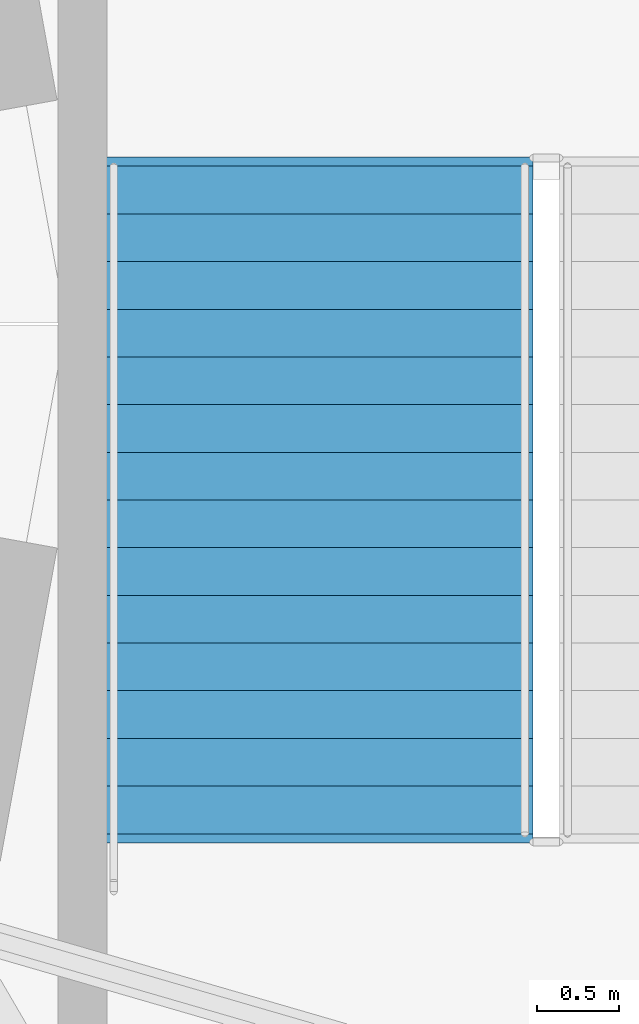
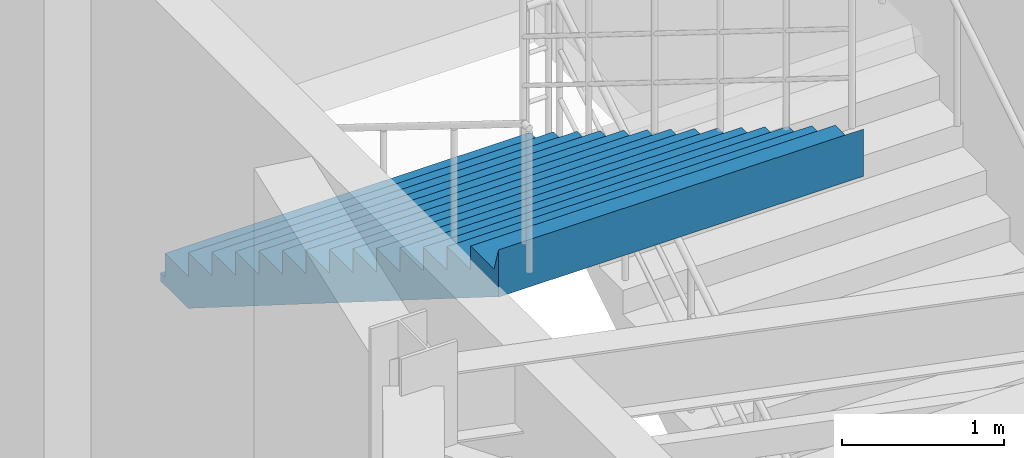
# One storey, part 74 of 93: 1 stair flight, 1 element without a shape of its own.
"""IFC4 building model written with IfcOpenShell, lengths in metres."""

from ifc_helpers import new_model, si_unit, direction, frame, origin, place, context, subcontext, project, spatial, polyline, outline, extrude, material, type_object, element, aggregate, save


model = new_model("IFC4")

# Units and contexts
model_context = context("Model", 3, precision=1e-05, world=origin(), true_north=direction((0.0, 1.0)))
body_context = subcontext(model_context, "Body", "Model", "MODEL_VIEW")
ifc_project = project(units=[si_unit("LENGTHUNIT", "METRE"), si_unit("AREAUNIT", "SQUARE_METRE"), si_unit("VOLUMEUNIT", "CUBIC_METRE"), si_unit("PLANEANGLEUNIT", "RADIAN"), si_unit("MASSUNIT", "GRAM", prefix="KILO")], contexts=[model_context])

# Site, building, storey
site_placement = place(None, origin())
site = spatial("IfcSite", under=ifc_project, at=site_placement, CompositionType="ELEMENT")
building_placement = place(site_placement, origin())
building = spatial("IfcBuilding", under=site, at=building_placement, Name="Cinderbank Siding Concert Hall", CompositionType="ELEMENT")
storey_placement = place(building_placement, origin())
storey = spatial("IfcBuildingStorey", under=building, at=storey_placement, Name="L01", CompositionType="ELEMENT", Elevation=0.0)

# Stair, stair flight
ifc_material = material(Name="Reinforced concrete AS 3600 N50 (50 MPa)", Category="concrete")
stair_type = type_object("IfcStairType", Name="STR-B Dogleg Exit Stair 2600mm", PredefinedType="HALF_TURN_STAIR", material=ifc_material)
stair_placement = place(storey_placement, origin())
stair = element("IfcStair", 1, at=stair_placement, inside=storey, type_object=stair_type, Name="L01 Fire-isolated Exit Stair ST-03", PredefinedType="HALF_TURN_STAIR")
stair_flight_type = type_object("IfcStairFlightType", Name="SFL-B Concrete Stair Flight 2600mm", PredefinedType="STRAIGHT", material=ifc_material)
stair_flight_placement = place(storey_placement, frame((143.139892578125, 44.9599609375, 2.699951171875), z_axis=(0.0, 0.0, 1.0), x_axis=(0.0, -1.0, 0.0)))
stair_flight = element("IfcStairFlight", 2, at=stair_flight_placement, type_object=stair_flight_type, Name="ST-03 flight 2", NumberOfRisers=15, NumberOfTreads=14, PredefinedType="STRAIGHT", RiserHeight=0.18, TreadLength=0.29, context=body_context, shape_type="SweptSolid", body=[
    extrude(outline(polyline([(0.0, 0.0), (0.0, 0.179931640625), (0.2900390625, 0.179931640625), (0.2900390625, 0.360107421875), (0.580078125, 0.360107421875), (0.580078125, 0.5400390625), (0.8701171875, 0.5400390625), (0.8701171875, 0.719970703125), (1.159912109375, 0.719970703125), (1.159912109375, 0.89990234375), (1.449951171875, 0.89990234375), (1.449951171875, 1.080078125), (1.739990234375, 1.080078125), (1.739990234375, 1.260009765625), (2.030029296875, 1.260009765625), (2.030029296875, 1.43994140625), (2.320068359375, 1.43994140625), (2.320068359375, 1.6201171875), (2.610107421875, 1.6201171875), (2.610107421875, 1.800048828125), (2.89990234375, 1.800048828125), (2.89990234375, 1.97998046875), (3.18994140625, 1.97998046875), (3.18994140625, 2.159912109375), (3.47998046875, 2.159912109375), (3.47998046875, 2.340087890625), (3.77001953125, 2.340087890625), (3.77001953125, 2.52001953125), (4.06005859375, 2.52001953125), (4.114990234375, 2.699951171875), (4.114990234375, 2.343505859375), (4.11474609375, 2.34375), (4.11474609375, 2.343994140625), (4.11474609375, 2.34423828125), (4.11474609375, 2.344482421875), (4.11474609375, 2.3447265625), (4.11474609375, 2.344970703125), (4.11474609375, 2.34521484375), (4.11474609375, 2.345458984375), (4.11474609375, 2.345703125), (4.11474609375, 2.345947265625), (4.11474609375, 2.34619140625), (4.11474609375, 2.346435546875), (4.114501953125, 2.346435546875), (4.114501953125, 2.34619140625), (4.114501953125, 2.345947265625), (4.114501953125, 2.345703125), (4.114501953125, 2.345458984375), (4.114501953125, 2.34521484375), (4.114501953125, 2.344970703125), (4.114501953125, 2.3447265625), (4.114501953125, 2.344482421875), (4.114501953125, 2.34423828125), (4.114501953125, 2.343994140625), (4.114501953125, 2.34375), (4.114501953125, 2.343505859375), (4.1142578125, 2.34375), (4.1142578125, 2.343994140625), (4.1142578125, 2.34423828125), (4.1142578125, 2.344482421875), (4.1142578125, 2.3447265625), (4.1142578125, 2.344970703125), (4.1142578125, 2.34521484375), (4.1142578125, 2.345458984375), (4.1142578125, 2.345703125), (4.1142578125, 2.345947265625), (4.1142578125, 2.34619140625), (4.1142578125, 2.346435546875), (4.114013671875, 2.346435546875), (4.114013671875, 2.34619140625), (4.114013671875, 2.345947265625), (4.114013671875, 2.345703125), (4.114013671875, 2.345458984375), (4.114013671875, 2.34521484375), (4.114013671875, 2.344970703125), (4.114013671875, 2.3447265625), (4.114013671875, 2.344482421875), (4.114013671875, 2.34423828125), (4.114013671875, 2.343994140625), (4.114013671875, 2.34375), (4.114013671875, 2.343505859375), (4.11376953125, 2.34375), (4.11376953125, 2.343994140625), (4.11376953125, 2.34423828125), (4.11376953125, 2.344482421875), (4.11376953125, 2.3447265625), (4.11376953125, 2.344970703125), (4.11376953125, 2.34521484375), (4.11376953125, 2.345458984375), (4.11376953125, 2.345703125), (4.11376953125, 2.345947265625), (4.11376953125, 2.34619140625), (4.11376953125, 2.346435546875), (4.113525390625, 2.346435546875), (4.113525390625, 2.34619140625), (4.113525390625, 2.345947265625), (4.113525390625, 2.345703125), (4.113525390625, 2.345458984375), (4.113525390625, 2.34521484375), (4.113525390625, 2.344970703125), (4.113525390625, 2.3447265625), (4.113525390625, 2.344482421875), (4.113525390625, 2.34423828125), (4.113525390625, 2.343994140625), (4.113525390625, 2.34375), (4.113525390625, 2.343505859375), (4.11328125, 2.34375), (4.11328125, 2.343994140625), (4.11328125, 2.34423828125), (4.11328125, 2.344482421875), (4.11328125, 2.3447265625), (4.11328125, 2.344970703125), (4.11328125, 2.34521484375), (4.11328125, 2.345458984375), (4.11328125, 2.345703125), (4.11328125, 2.345947265625), (4.11328125, 2.34619140625), (4.11328125, 2.346435546875), (4.113037109375, 2.346435546875), (4.113037109375, 2.34619140625), (4.113037109375, 2.345947265625), (4.113037109375, 2.345703125), (4.113037109375, 2.345458984375), (4.113037109375, 2.34521484375), (4.113037109375, 2.344970703125), (4.113037109375, 2.3447265625), (4.113037109375, 2.344482421875), (4.113037109375, 2.34423828125), (4.113037109375, 2.343994140625), (4.113037109375, 2.34375), (4.113037109375, 2.343505859375), (4.11279296875, 2.34375), (4.11279296875, 2.343994140625), (4.11279296875, 2.34423828125), (4.11279296875, 2.344482421875), (4.11279296875, 2.3447265625), (4.11279296875, 2.344970703125), (4.11279296875, 2.34521484375), (4.11279296875, 2.345458984375), (4.11279296875, 2.345703125), (4.11279296875, 2.345947265625), (4.11279296875, 2.34619140625), (4.11279296875, 2.346435546875), (4.112548828125, 2.346435546875), (4.112548828125, 2.34619140625), (4.112548828125, 2.345947265625), (4.112548828125, 2.345703125), (4.112548828125, 2.345458984375), (4.112548828125, 2.34521484375), (4.112548828125, 2.344970703125), (4.112548828125, 2.3447265625), (4.112548828125, 2.344482421875), (4.112548828125, 2.34423828125), (4.112548828125, 2.343994140625), (4.112548828125, 2.34375), (4.112548828125, 2.343505859375), (4.1123046875, 2.34375), (4.1123046875, 2.343994140625), (4.1123046875, 2.34423828125), (4.1123046875, 2.344482421875), (4.1123046875, 2.3447265625), (4.1123046875, 2.344970703125), (4.1123046875, 2.34521484375), (4.1123046875, 2.345458984375), (4.1123046875, 2.345703125), (4.1123046875, 2.345947265625), (4.1123046875, 2.34619140625), (4.1123046875, 2.346435546875), (4.112060546875, 2.346435546875), (4.112060546875, 2.34619140625), (4.112060546875, 2.345947265625), (4.112060546875, 2.345703125), (4.112060546875, 2.345458984375), (4.112060546875, 2.34521484375), (4.112060546875, 2.344970703125), (4.112060546875, 2.3447265625), (4.112060546875, 2.344482421875), (4.112060546875, 2.34423828125), (4.112060546875, 2.343994140625), (4.112060546875, 2.34375), (4.112060546875, 2.343505859375), (4.11181640625, 2.34375), (4.11181640625, 2.343994140625), (4.11181640625, 2.34423828125), (4.11181640625, 2.344482421875), (4.11181640625, 2.3447265625), (4.11181640625, 2.344970703125), (4.11181640625, 2.34521484375), (4.11181640625, 2.345458984375), (4.11181640625, 2.345703125), (4.11181640625, 2.345947265625), (4.11181640625, 2.34619140625), (4.11181640625, 2.346435546875), (4.111572265625, 2.346435546875), (4.111572265625, 2.34619140625), (4.111572265625, 2.345947265625), (4.111572265625, 2.345703125), (4.111572265625, 2.345458984375), (4.111572265625, 2.34521484375), (4.111572265625, 2.344970703125), (4.111572265625, 2.3447265625), (4.111572265625, 2.344482421875), (4.111572265625, 2.34423828125), (4.111572265625, 2.343994140625), (4.111572265625, 2.34375), (4.111572265625, 2.343505859375), (4.111328125, 2.34375), (4.111328125, 2.343994140625), (4.111328125, 2.34423828125), (4.111328125, 2.344482421875), (4.111328125, 2.3447265625), (4.111328125, 2.344970703125), (4.111328125, 2.34521484375), (4.111328125, 2.345458984375), (4.111328125, 2.345703125), (4.111328125, 2.345947265625), (4.111328125, 2.34619140625), (4.111328125, 2.346435546875), (4.111083984375, 2.346435546875), (4.111083984375, 2.34619140625), (4.111083984375, 2.345947265625), (4.111083984375, 2.345703125), (4.111083984375, 2.345458984375), (4.111083984375, 2.34521484375), (4.111083984375, 2.344970703125), (4.111083984375, 2.3447265625), (4.111083984375, 2.344482421875), (4.111083984375, 2.34423828125), (4.111083984375, 2.343994140625), (4.111083984375, 2.34375), (4.111083984375, 2.343505859375), (4.11083984375, 2.34375), (4.11083984375, 2.343994140625), (4.11083984375, 2.34423828125), (4.11083984375, 2.344482421875), (4.11083984375, 2.3447265625), (4.11083984375, 2.344970703125), (4.11083984375, 2.34521484375), (4.11083984375, 2.345458984375), (4.11083984375, 2.345703125), (4.11083984375, 2.345947265625), (4.11083984375, 2.34619140625), (4.11083984375, 2.346435546875), (4.110595703125, 2.346435546875), (4.110595703125, 2.34619140625), (4.110595703125, 2.345947265625), (4.110595703125, 2.345703125), (4.110595703125, 2.345458984375), (4.110595703125, 2.34521484375), (4.110595703125, 2.344970703125), (4.110595703125, 2.3447265625), (4.110595703125, 2.344482421875), (4.110595703125, 2.34423828125), (4.110595703125, 2.343994140625), (4.110595703125, 2.34375), (4.110595703125, 2.343505859375), (4.1103515625, 2.34375), (4.1103515625, 2.343994140625), (4.1103515625, 2.34423828125), (4.1103515625, 2.344482421875), (4.1103515625, 2.3447265625), (4.1103515625, 2.344970703125), (4.1103515625, 2.34521484375), (4.1103515625, 2.345458984375), (4.1103515625, 2.345703125), (4.1103515625, 2.345947265625), (4.1103515625, 2.34619140625), (4.1103515625, 2.346435546875), (4.110107421875, 2.346435546875), (4.110107421875, 2.34619140625), (4.110107421875, 2.345947265625), (4.110107421875, 2.345703125), (4.110107421875, 2.345458984375), (4.110107421875, 2.34521484375), (4.110107421875, 2.344970703125), (4.110107421875, 2.3447265625), (4.110107421875, 2.344482421875), (4.110107421875, 2.34423828125), (4.110107421875, 2.343994140625), (4.110107421875, 2.34375), (4.110107421875, 2.343505859375), (4.10986328125, 2.34375), (4.10986328125, 2.343994140625), (4.10986328125, 2.34423828125), (4.10986328125, 2.344482421875), (4.10986328125, 2.3447265625), (4.10986328125, 2.344970703125), (4.10986328125, 2.34521484375), (4.10986328125, 2.345458984375), (4.10986328125, 2.345703125), (4.10986328125, 2.345947265625), (4.10986328125, 2.34619140625), (4.10986328125, 2.346435546875), (4.109619140625, 2.346435546875), (4.109619140625, 2.34619140625), (4.109619140625, 2.345947265625), (4.109619140625, 2.345703125), (4.109619140625, 2.345458984375), (4.109619140625, 2.34521484375), (4.109619140625, 2.344970703125), (4.109619140625, 2.3447265625), (4.109619140625, 2.344482421875), (4.109619140625, 2.34423828125), (4.109619140625, 2.343994140625), (4.109619140625, 2.34375), (4.109619140625, 2.343505859375), (4.109375, 2.34375), (4.109375, 2.343994140625), (4.109375, 2.34423828125), (4.109375, 2.344482421875), (4.109375, 2.3447265625), (4.109375, 2.344970703125), (4.109375, 2.34521484375), (4.109375, 2.345458984375), (4.109375, 2.345703125), (4.109375, 2.345947265625), (4.109375, 2.34619140625), (4.109375, 2.346435546875), (4.109130859375, 2.346435546875), (4.109130859375, 2.34619140625), (4.109130859375, 2.345947265625), (4.109130859375, 2.345703125), (4.109130859375, 2.345458984375), (4.109130859375, 2.34521484375), (4.109130859375, 2.344970703125), (4.109130859375, 2.3447265625), (4.109130859375, 2.344482421875), (4.109130859375, 2.34423828125), (4.109130859375, 2.343994140625), (4.109130859375, 2.34375), (4.109130859375, 2.343505859375), (4.10888671875, 2.34375), (4.10888671875, 2.343994140625), (4.10888671875, 2.34423828125), (4.10888671875, 2.344482421875), (4.10888671875, 2.3447265625), (4.10888671875, 2.344970703125), (4.10888671875, 2.34521484375), (4.10888671875, 2.345458984375), (4.10888671875, 2.345703125), (4.10888671875, 2.345947265625), (4.10888671875, 2.34619140625), (4.10888671875, 2.346435546875), (4.108642578125, 2.346435546875), (4.108642578125, 2.34619140625), (4.108642578125, 2.345947265625), (4.108642578125, 2.345703125), (4.108642578125, 2.345458984375), (4.108642578125, 2.34521484375), (4.108642578125, 2.344970703125), (4.108642578125, 2.3447265625), (4.108642578125, 2.344482421875), (4.108642578125, 2.34423828125), (4.108642578125, 2.343994140625), (4.108642578125, 2.34375), (4.108642578125, 2.343505859375), (0.2841796875, -0.06396484375), (-0.048583984375, -0.063720703125), (-0.048583984375, -0.0634765625), (-0.048583984375, -0.063232421875), (-0.048583984375, -0.06298828125), (-0.048583984375, -0.062744140625), (-0.048583984375, -0.0625), (-0.048583984375, -0.062255859375), (-0.048583984375, -0.06201171875), (-0.048583984375, -0.061767578125), (-0.048583984375, -0.0615234375), (-0.048583984375, -0.061279296875), (-0.048583984375, -0.06103515625), (-0.048828125, -0.06103515625), (-0.048828125, -0.061279296875), (-0.048828125, -0.0615234375), (-0.048828125, -0.061767578125), (-0.048828125, -0.06201171875), (-0.048828125, -0.062255859375), (-0.048828125, -0.0625), (-0.048828125, -0.062744140625), (-0.048828125, -0.06298828125), (-0.048828125, -0.063232421875), (-0.048828125, -0.0634765625), (-0.048828125, -0.063720703125), (-0.048828125, -0.06396484375), (-0.049072265625, -0.063720703125), (-0.049072265625, -0.0634765625), (-0.049072265625, -0.063232421875), (-0.049072265625, -0.06298828125), (-0.049072265625, -0.062744140625), (-0.049072265625, -0.0625), (-0.049072265625, -0.062255859375), (-0.049072265625, -0.06201171875), (-0.049072265625, -0.061767578125), (-0.049072265625, -0.0615234375), (-0.049072265625, -0.061279296875), (-0.049072265625, -0.06103515625), (-0.04931640625, -0.06103515625), (-0.04931640625, -0.061279296875), (-0.04931640625, -0.0615234375), (-0.04931640625, -0.061767578125), (-0.04931640625, -0.06201171875), (-0.04931640625, -0.062255859375), (-0.04931640625, -0.0625), (-0.04931640625, -0.062744140625), (-0.04931640625, -0.06298828125), (-0.04931640625, -0.063232421875), (-0.04931640625, -0.0634765625), (-0.04931640625, -0.063720703125), (-0.04931640625, -0.06396484375), (-0.049560546875, -0.063720703125), (-0.049560546875, -0.0634765625), (-0.049560546875, -0.063232421875), (-0.049560546875, -0.06298828125), (-0.049560546875, -0.062744140625), (-0.049560546875, -0.0625), (-0.049560546875, -0.062255859375), (-0.049560546875, -0.06201171875), (-0.049560546875, -0.061767578125), (-0.049560546875, -0.0615234375), (-0.049560546875, -0.061279296875), (-0.049560546875, -0.06103515625), (-0.0498046875, -0.06103515625), (-0.0498046875, -0.061279296875), (-0.0498046875, -0.0615234375), (-0.0498046875, -0.061767578125), (-0.0498046875, -0.06201171875), (-0.0498046875, -0.062255859375), (-0.0498046875, -0.0625), (-0.0498046875, -0.062744140625), (-0.0498046875, -0.06298828125), (-0.0498046875, -0.063232421875), (-0.0498046875, -0.0634765625), (-0.0498046875, -0.063720703125), (-0.0498046875, -0.06396484375), (-0.050048828125, -0.063720703125), (-0.050048828125, -0.0634765625), (-0.050048828125, -0.063232421875), (-0.050048828125, -0.06298828125), (-0.050048828125, -0.062744140625), (-0.050048828125, -0.0625), (-0.050048828125, -0.062255859375), (-0.050048828125, -0.06201171875), (-0.050048828125, -0.061767578125), (-0.050048828125, -0.0615234375), (-0.050048828125, -0.061279296875), (-0.050048828125, -0.06103515625), (-0.05029296875, -0.06103515625), (-0.05029296875, -0.061279296875), (-0.05029296875, -0.0615234375), (-0.05029296875, -0.061767578125), (-0.05029296875, -0.06201171875), (-0.05029296875, -0.062255859375), (-0.05029296875, -0.0625), (-0.05029296875, -0.062744140625), (-0.05029296875, -0.06298828125), (-0.05029296875, -0.063232421875), (-0.05029296875, -0.0634765625), (-0.05029296875, -0.063720703125), (-0.05029296875, -0.06396484375), (-0.050537109375, -0.063720703125), (-0.050537109375, -0.0634765625), (-0.050537109375, -0.063232421875), (-0.050537109375, -0.06298828125), (-0.050537109375, -0.062744140625), (-0.050537109375, -0.0625), (-0.050537109375, -0.062255859375), (-0.050537109375, -0.06201171875), (-0.050537109375, -0.061767578125), (-0.050537109375, -0.0615234375), (-0.050537109375, -0.061279296875), (-0.050537109375, -0.06103515625), (-0.05078125, -0.06103515625), (-0.05078125, -0.061279296875), (-0.05078125, -0.0615234375), (-0.05078125, -0.061767578125), (-0.05078125, -0.06201171875), (-0.05078125, -0.062255859375), (-0.05078125, -0.0625), (-0.05078125, -0.062744140625), (-0.05078125, -0.06298828125), (-0.05078125, -0.063232421875), (-0.05078125, -0.0634765625), (-0.05078125, -0.063720703125), (-0.05078125, -0.06396484375), (-0.051025390625, -0.063720703125), (-0.051025390625, -0.0634765625), (-0.051025390625, -0.063232421875), (-0.051025390625, -0.06298828125), (-0.051025390625, -0.062744140625), (-0.051025390625, -0.0625), (-0.051025390625, -0.062255859375), (-0.051025390625, -0.06201171875), (-0.051025390625, -0.061767578125), (-0.051025390625, -0.0615234375), (-0.051025390625, -0.061279296875), (-0.051025390625, -0.06103515625), (-0.05126953125, -0.06103515625), (-0.05126953125, -0.061279296875), (-0.05126953125, -0.0615234375), (-0.05126953125, -0.061767578125), (-0.05126953125, -0.06201171875), (-0.05126953125, -0.062255859375), (-0.05126953125, -0.0625), (-0.05126953125, -0.062744140625), (-0.05126953125, -0.06298828125), (-0.05126953125, -0.063232421875), (-0.05126953125, -0.0634765625), (-0.05126953125, -0.063720703125), (-0.05126953125, -0.06396484375), (-0.051513671875, -0.063720703125), (-0.051513671875, -0.0634765625), (-0.051513671875, -0.063232421875), (-0.051513671875, -0.06298828125), (-0.051513671875, -0.062744140625), (-0.051513671875, -0.0625), (-0.051513671875, -0.062255859375), (-0.051513671875, -0.06201171875), (-0.051513671875, -0.061767578125), (-0.051513671875, -0.0615234375), (-0.051513671875, -0.061279296875), (-0.051513671875, -0.06103515625), (-0.0517578125, -0.06103515625), (-0.0517578125, -0.061279296875), (-0.0517578125, -0.0615234375), (-0.0517578125, -0.061767578125), (-0.0517578125, -0.06201171875), (-0.0517578125, -0.062255859375), (-0.0517578125, -0.0625), (-0.0517578125, -0.062744140625), (-0.0517578125, -0.06298828125), (-0.0517578125, -0.063232421875), (-0.0517578125, -0.0634765625), (-0.0517578125, -0.063720703125), (-0.0517578125, -0.06396484375), (-0.052001953125, -0.063720703125), (-0.052001953125, -0.0634765625), (-0.052001953125, -0.063232421875), (-0.052001953125, -0.06298828125), (-0.052001953125, -0.062744140625), (-0.052001953125, -0.0625), (-0.052001953125, -0.062255859375), (-0.052001953125, -0.06201171875), (-0.052001953125, -0.061767578125), (-0.052001953125, -0.0615234375), (-0.052001953125, -0.061279296875), (-0.052001953125, -0.06103515625), (-0.05224609375, -0.06103515625), (-0.05224609375, -0.061279296875), (-0.05224609375, -0.0615234375), (-0.05224609375, -0.061767578125), (-0.05224609375, -0.06201171875), (-0.05224609375, -0.062255859375), (-0.05224609375, -0.0625), (-0.05224609375, -0.062744140625), (-0.05224609375, -0.06298828125), (-0.05224609375, -0.063232421875), (-0.05224609375, -0.0634765625), (-0.05224609375, -0.063720703125), (-0.05224609375, -0.06396484375), (-0.052490234375, -0.063720703125), (-0.052490234375, -0.0634765625), (-0.052490234375, -0.063232421875), (-0.052490234375, -0.06298828125), (-0.052490234375, -0.062744140625), (-0.052490234375, -0.0625), (-0.052490234375, -0.062255859375), (-0.052490234375, -0.06201171875), (-0.052490234375, -0.061767578125), (-0.052490234375, -0.0615234375), (-0.052490234375, -0.061279296875), (-0.052490234375, -0.06103515625), (-0.052734375, -0.06103515625), (-0.052734375, -0.061279296875), (-0.052734375, -0.0615234375), (-0.052734375, -0.061767578125), (-0.052734375, -0.06201171875), (-0.052734375, -0.062255859375), (-0.052734375, -0.0625), (-0.052734375, -0.062744140625), (-0.052734375, -0.06298828125), (-0.052734375, -0.063232421875), (-0.052734375, -0.0634765625), (-0.052734375, -0.063720703125), (-0.052734375, -0.06396484375), (-0.052978515625, -0.063720703125), (-0.052978515625, -0.0634765625), (-0.052978515625, -0.063232421875), (-0.052978515625, -0.06298828125), (-0.052978515625, -0.062744140625), (-0.052978515625, -0.0625), (-0.052978515625, -0.062255859375), (-0.052978515625, -0.06201171875), (-0.052978515625, -0.061767578125), (-0.052978515625, -0.0615234375), (-0.052978515625, -0.061279296875), (-0.052978515625, -0.06103515625), (-0.05322265625, -0.06103515625), (-0.05322265625, -0.061279296875), (-0.05322265625, -0.0615234375), (-0.05322265625, -0.061767578125), (-0.05322265625, -0.06201171875), (-0.05322265625, -0.062255859375), (-0.05322265625, -0.0625), (-0.05322265625, -0.062744140625), (-0.05322265625, -0.06298828125), (-0.05322265625, -0.063232421875), (-0.05322265625, -0.0634765625), (-0.05322265625, -0.063720703125), (-0.05322265625, -0.06396484375), (-0.053466796875, -0.063720703125), (-0.053466796875, -0.0634765625), (-0.053466796875, -0.063232421875), (-0.053466796875, -0.06298828125), (-0.053466796875, -0.062744140625), (-0.053466796875, -0.0625), (-0.053466796875, -0.062255859375), (-0.053466796875, -0.06201171875), (-0.053466796875, -0.061767578125), (-0.053466796875, -0.0615234375), (-0.053466796875, -0.061279296875), (-0.053466796875, -0.06103515625), (-0.0537109375, -0.06103515625), (-0.0537109375, -0.061279296875), (-0.0537109375, -0.0615234375), (-0.0537109375, -0.061767578125), (-0.0537109375, -0.06201171875), (-0.0537109375, -0.062255859375), (-0.0537109375, -0.0625), (-0.0537109375, -0.062744140625), (-0.0537109375, -0.06298828125), (-0.0537109375, -0.063232421875), (-0.0537109375, -0.0634765625), (-0.0537109375, -0.063720703125), (-0.0537109375, -0.06396484375), (-0.053955078125, -0.063720703125), (-0.053955078125, -0.0634765625), (-0.053955078125, -0.063232421875), (-0.053955078125, -0.06298828125), (-0.053955078125, -0.062744140625), (-0.053955078125, -0.0625), (-0.053955078125, -0.062255859375), (-0.053955078125, -0.06201171875), (-0.053955078125, -0.061767578125), (-0.053955078125, -0.0615234375), (-0.053955078125, -0.061279296875), (-0.053955078125, -0.06103515625), (-0.05419921875, -0.06103515625), (-0.05419921875, -0.061279296875), (-0.05419921875, -0.0615234375), (-0.05419921875, -0.061767578125), (-0.05419921875, -0.06201171875), (-0.05419921875, -0.062255859375), (-0.05419921875, -0.0625), (-0.05419921875, -0.062744140625), (-0.05419921875, -0.06298828125), (-0.05419921875, -0.063232421875), (-0.05419921875, -0.0634765625), (-0.05419921875, -0.063720703125), (-0.05419921875, -0.06396484375), (-0.054443359375, -0.063720703125), (-0.054443359375, -0.0634765625), (-0.054443359375, -0.063232421875), (-0.054443359375, -0.06298828125), (-0.054443359375, -0.062744140625), (-0.054443359375, -0.0625), (-0.054443359375, -0.062255859375), (-0.054443359375, -0.06201171875), (-0.054443359375, -0.061767578125), (-0.054443359375, -0.0615234375), (-0.054443359375, -0.061279296875), (-0.054443359375, -0.06103515625), (-0.0546875, -0.06103515625), (-0.0546875, -0.061279296875), (-0.0546875, -0.0615234375), (-0.0546875, -0.061767578125), (-0.0546875, -0.06201171875), (-0.0546875, -0.062255859375), (-0.0546875, -0.0625), (-0.0546875, -0.062744140625), (-0.0546875, -0.06298828125), (-0.0546875, -0.063232421875), (-0.0546875, -0.0634765625), (-0.0546875, -0.063720703125), (-0.0546875, -0.06396484375), (-0.054931640625, -0.06396484375), (-0.054931640625, 0.0), (0.0, 0.0)])), frame((0.0, 1.300048828125, 0.0), z_axis=(0.0, -1.0, 0.0), x_axis=(1.0, 0.0, 0.0)), (0.0, 0.0, 1.0), 2.60009765625),
])
aggregate(stair, [stair_flight])

save(model, "model.ifc")
